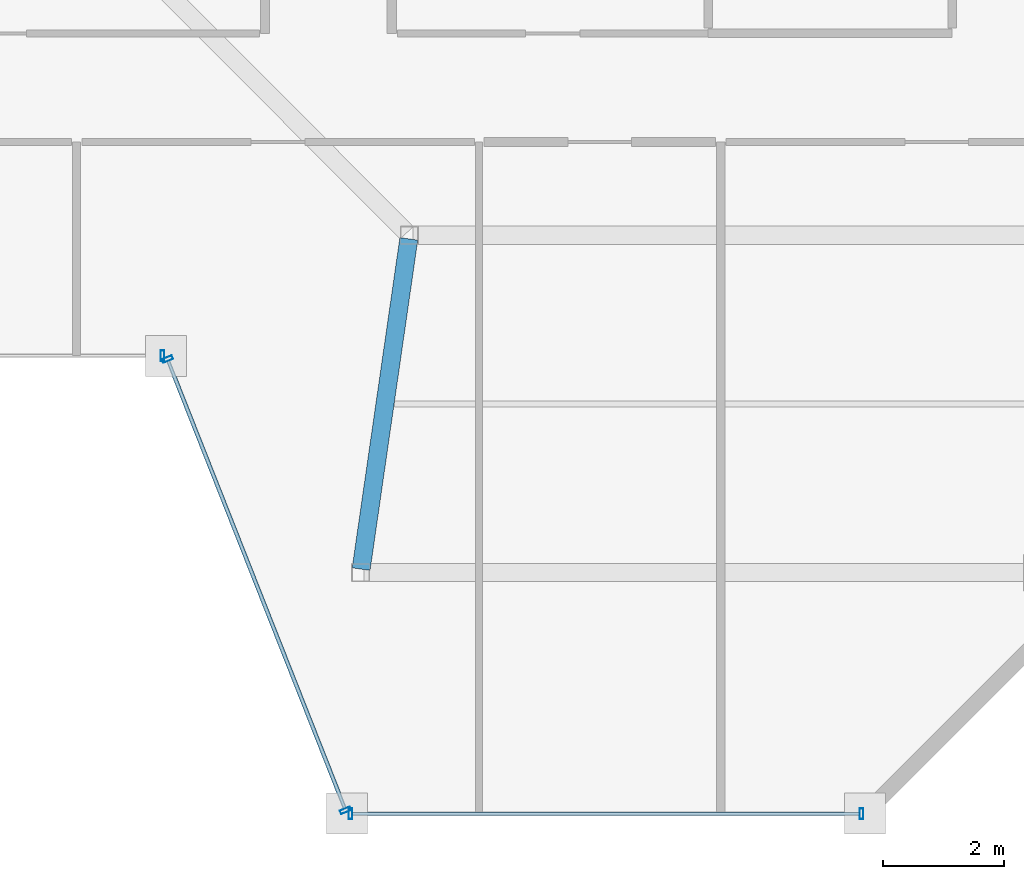
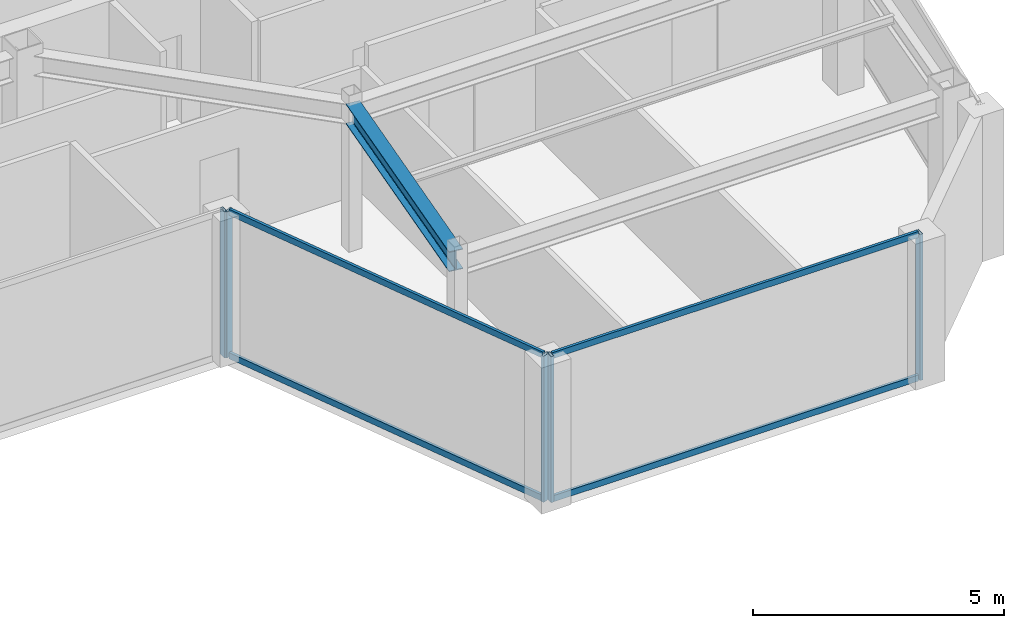
# One storey, part 11 of 23: 9 members, 1 beam, 3 elements without a shape of their own.
"""IFC4 building model written with IfcOpenShell, lengths in metres."""

from ifc_helpers import new_model, si_unit, direction, frame, origin, origin_2d, place, context, subcontext, project, spatial, hollow_rectangle, i_section, extrude, material, material_profile, profile_set, type_object, element, aggregate, save


model = new_model("IFC4")

# Units and contexts
model_context = context("Model", 3, precision=1e-05, world=origin(), true_north=direction((0.0, 1.0)))
body_context = subcontext(model_context, "Body", "Model", "MODEL_VIEW")
ifc_project = project(units=[si_unit("LENGTHUNIT", "METRE"), si_unit("AREAUNIT", "SQUARE_METRE"), si_unit("VOLUMEUNIT", "CUBIC_METRE"), si_unit("PLANEANGLEUNIT", "RADIAN"), si_unit("MASSUNIT", "GRAM", prefix="KILO")], contexts=[model_context])

# Site, building, storey
site_placement = place(None, origin())
site = spatial("IfcSite", under=ifc_project, at=site_placement, CompositionType="ELEMENT")
building_placement = place(site_placement, origin())
building = spatial("IfcBuilding", under=site, at=building_placement, Name="Saevonmaru Cultural Tower", CompositionType="ELEMENT")
storey_placement = place(building_placement, frame((0.0, 0.0, 283.800048828125)))
storey = spatial("IfcBuildingStorey", under=building, at=storey_placement, Name="L67", CompositionType="ELEMENT", Elevation=283.800048828125)

# Beam
ifc_material_1 = material(Name="Steel SM355", Category="steel")
ifc_material_profile_1 = material_profile(ifc_material_1, i_section(OverallWidth=0.300048828125, OverallDepth=0.488037109375, WebThickness=0.010986328125, FlangeThickness=0.01806640625, FilletRadius=0.02197265625, at=origin_2d()), Name="H-488x300x11x18")
ifc_profile_set_1 = profile_set([ifc_material_profile_1], Name="Steel SM355")
beam_type = type_object("IfcBeamType", Name="BM-G-H488", PredefinedType="BEAM", material=ifc_profile_set_1)
beam_placement = place(storey_placement, frame((40.3916015625, 32.059326171875, 3.305908203125), z_axis=(0.142964121327, 0.989727871697, 0.0), x_axis=(-0.989727871697, 0.142964121327, 0.0)))
element("IfcBeam", 1, at=beam_placement, inside=storey, type_object=beam_type, Name="L67 East Atrium Girder 1", PredefinedType="BEAM", context=body_context, shape_type="SweptSolid", body=[
    extrude(i_section(OverallWidth=0.300048828125, OverallDepth=0.488037109375, WebThickness=0.010986328125, FlangeThickness=0.01806640625, FilletRadius=0.02197265625, at=origin_2d()), origin(), (0.0, 0.0, 1.0), 5.5380859375),
])

# Curtain wall, member
ifc_material_2 = material(Name="Satin Bronze Anodised Aluminium", Category="aluminium")
curtain_wall_type = type_object("IfcCurtainWallType", Name="CW-TYP-B", PredefinedType="NOTDEFINED", material=ifc_material_2)
curtain_wall_1_placement = place(storey_placement, origin())
curtain_wall_1 = element("IfcCurtainWall", 2, at=curtain_wall_1_placement, inside=storey, type_object=curtain_wall_type, Name="L67 Unitised Curtain Wall E4", PredefinedType="NOTDEFINED")
ifc_material_profile_2 = material_profile(ifc_material_2, hollow_rectangle(XDim=0.06494140625, YDim=0.179931640625, WallThickness=0.00390625, at=origin_2d()), Name="ALU-MULL-180x65x4")
ifc_profile_set_2 = profile_set([ifc_material_profile_2], Name="Satin Bronze Anodised Aluminium")
member_type_1 = type_object("IfcMemberType", Name="ML-CW-180x65", PredefinedType="MULLION", material=ifc_profile_set_2)
member_1_placement = place(storey_placement, frame((37.095703125, 35.60009765625, 0.0), z_axis=(0.0, 0.0, 1.0), x_axis=(1.0, 0.0, 0.0)))
member_1 = element("IfcMember", 3, at=member_1_placement, type_object=member_type_1, Name="CW-TW-L67-E4 mullion 2", PredefinedType="MULLION", context=body_context, shape_type="SweptSolid", body=[
    extrude(hollow_rectangle(XDim=0.06494140625, YDim=0.179931640625, WallThickness=0.00390625, at=origin_2d()), origin(), (0.0, 0.0, 1.0), 3.550048828125),
])
aggregate(curtain_wall_1, [member_1])

# Curtain wall, members
curtain_wall_2_placement = place(storey_placement, origin())
curtain_wall_2 = element("IfcCurtainWall", 4, at=curtain_wall_2_placement, inside=storey, type_object=curtain_wall_type, Name="L67 Unitised Curtain Wall E5", PredefinedType="NOTDEFINED")
member_2_placement = place(storey_placement, frame((37.177490234375, 35.544189453125, 0.0), z_axis=(0.0, 0.0, 1.0), x_axis=(0.367172185578, -0.930152990716, 0.0)))
member_2 = element("IfcMember", 5, at=member_2_placement, type_object=member_type_1, Name="CW-TW-L67-E5 mullion 1", PredefinedType="MULLION", context=body_context, shape_type="SweptSolid", body=[
    extrude(hollow_rectangle(XDim=0.06494140625, YDim=0.179931640625, WallThickness=0.00390625, at=origin_2d()), origin(), (0.0, 0.0, 1.0), 3.550048828125),
])
member_3_placement = place(storey_placement, frame((40.133544921875, 28.055908203125, 0.0), z_axis=(0.0, 0.0, 1.0), x_axis=(0.367172185578, -0.930152990716, 0.0)))
member_3 = element("IfcMember", 6, at=member_3_placement, type_object=member_type_1, Name="CW-TW-L67-E5 mullion 2", PredefinedType="MULLION", context=body_context, shape_type="SweptSolid", body=[
    extrude(hollow_rectangle(XDim=0.06494140625, YDim=0.179931640625, WallThickness=0.00390625, at=origin_2d()), origin(), (0.0, 0.0, 1.0), 3.550048828125),
])

curtain_wall_3_placement = place(storey_placement, origin())
curtain_wall_3 = element("IfcCurtainWall", 7, at=curtain_wall_3_placement, inside=storey, type_object=curtain_wall_type, Name="L67 Unitised Curtain Wall E6", PredefinedType="NOTDEFINED")
member_4_placement = place(storey_placement, frame((40.215576171875, 28.0, 0.0), z_axis=(0.0, 0.0, 1.0), x_axis=(1.0, 0.0, 0.0)))
member_4 = element("IfcMember", 8, at=member_4_placement, type_object=member_type_1, Name="CW-TW-L67-E6 mullion 1", PredefinedType="MULLION", context=body_context, shape_type="SweptSolid", body=[
    extrude(hollow_rectangle(XDim=0.06494140625, YDim=0.179931640625, WallThickness=0.00390625, at=origin_2d()), origin(), (0.0, 0.0, 1.0), 3.550048828125),
])
member_5_placement = place(storey_placement, frame((48.695556640625, 28.0, 0.0), z_axis=(0.0, 0.0, 1.0), x_axis=(1.0, 0.0, 0.0)))
member_5 = element("IfcMember", 9, at=member_5_placement, type_object=member_type_1, Name="CW-TW-L67-E6 mullion 2", PredefinedType="MULLION", context=body_context, shape_type="SweptSolid", body=[
    extrude(hollow_rectangle(XDim=0.06494140625, YDim=0.179931640625, WallThickness=0.00390625, at=origin_2d()), origin(), (0.0, 0.0, 1.0), 3.550048828125),
])

# Member
ifc_material_profile_3 = material_profile(ifc_material_2, hollow_rectangle(XDim=0.06494140625, YDim=0.14990234375, WallThickness=0.00390625, at=origin_2d()), Name="ALU-TRAN-150x65x4")
ifc_profile_set_3 = profile_set([ifc_material_profile_3], Name="Satin Bronze Anodised Aluminium")
member_type_2 = type_object("IfcMemberType", Name="TR-CW-150x65", PredefinedType="USERDEFINED", material=ifc_profile_set_3)
member_6_placement = place(storey_placement, frame((37.189453125, 35.513916015625, 0.032470703125), z_axis=(0.367170015072, -0.930153847507, 0.0), x_axis=(0.930153847507, 0.367170015072, 0.0)))
member_6 = element("IfcMember", 10, at=member_6_placement, type_object=member_type_2, Name="CW-TW-L67-E5 transom 1.1", ObjectType="TRANSOM", PredefinedType="USERDEFINED", context=body_context, shape_type="SweptSolid", body=[
    extrude(hollow_rectangle(XDim=0.06494140625, YDim=0.14990234375, WallThickness=0.00390625, at=origin_2d()), origin(), (0.0, 0.0, 1.0), 7.98583984375),
])

member_7_placement = place(storey_placement, frame((37.189453125, 35.513916015625, 3.517333984375), z_axis=(0.367170015072, -0.930153847507, 0.0), x_axis=(0.930153847507, 0.367170015072, 0.0)))
member_7 = element("IfcMember", 11, at=member_7_placement, type_object=member_type_2, Name="CW-TW-L67-E5 transom 1.2", ObjectType="TRANSOM", PredefinedType="USERDEFINED", context=body_context, shape_type="SweptSolid", body=[
    extrude(hollow_rectangle(XDim=0.06494140625, YDim=0.14990234375, WallThickness=0.00390625, at=origin_2d()), origin(), (0.0, 0.0, 1.0), 7.98583984375),
])

aggregate(curtain_wall_2, [member_2, member_3, member_6, member_7])

member_8_placement = place(storey_placement, frame((40.248046875, 28.0, 0.032470703125), z_axis=(1.0, 0.0, 0.0), x_axis=(0.0, 1.0, 0.0)))
member_8 = element("IfcMember", 12, at=member_8_placement, type_object=member_type_2, Name="CW-TW-L67-E6 transom 1.1", ObjectType="TRANSOM", PredefinedType="USERDEFINED", context=body_context, shape_type="SweptSolid", body=[
    extrude(hollow_rectangle(XDim=0.06494140625, YDim=0.14990234375, WallThickness=0.00390625, at=origin_2d()), origin(), (0.0, 0.0, 1.0), 8.4150390625),
])

member_9_placement = place(storey_placement, frame((40.248046875, 28.0, 3.517333984375), z_axis=(1.0, 0.0, 0.0), x_axis=(0.0, 1.0, 0.0)))
member_9 = element("IfcMember", 13, at=member_9_placement, type_object=member_type_2, Name="CW-TW-L67-E6 transom 1.2", ObjectType="TRANSOM", PredefinedType="USERDEFINED", context=body_context, shape_type="SweptSolid", body=[
    extrude(hollow_rectangle(XDim=0.06494140625, YDim=0.14990234375, WallThickness=0.00390625, at=origin_2d()), origin(), (0.0, 0.0, 1.0), 8.4150390625),
])

aggregate(curtain_wall_3, [member_4, member_5, member_8, member_9])

save(model, "model.ifc")
